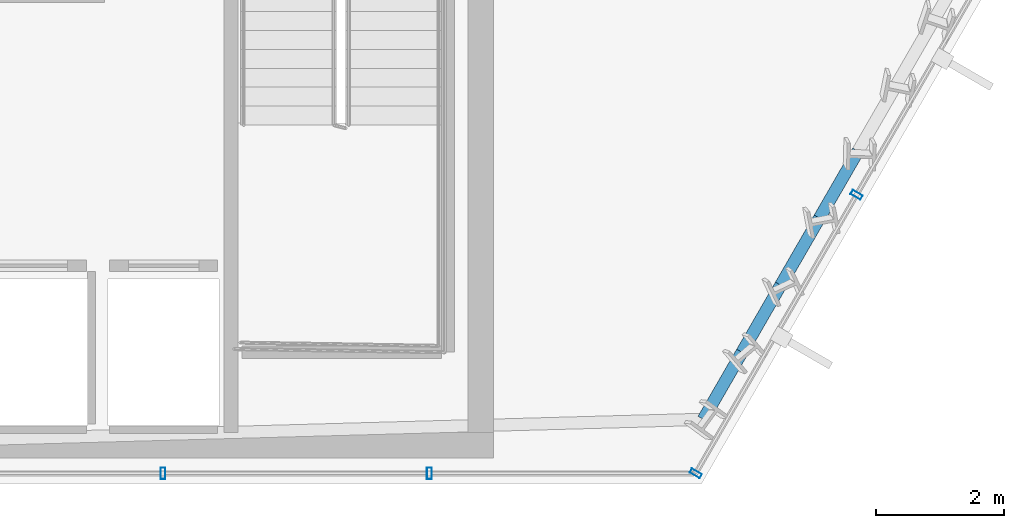
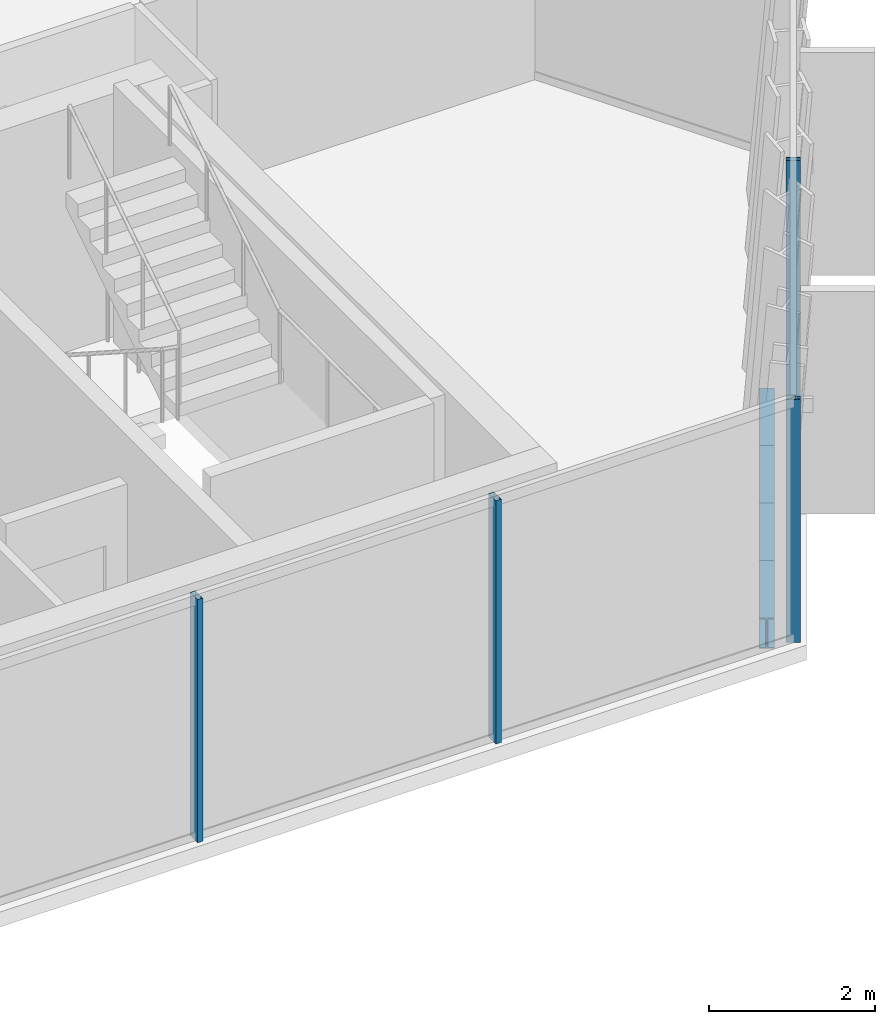
# One storey, part 15 of 35: 4 beams, 4 members, 2 elements without a shape of their own.
"""IFC4 building model written with IfcOpenShell, lengths in metres."""

from ifc_helpers import new_model, si_unit, direction, frame, origin, origin_2d, place, context, subcontext, project, spatial, hollow_rectangle, i_section, extrude, material, layer, layer_set, material_profile, profile_set, type_object, element, aggregate, save


model = new_model("IFC4")

# Units and contexts
model_context = context("Model", 3, precision=1e-05, world=origin(), true_north=direction((0.0, 1.0)))
body_context = subcontext(model_context, "Body", "Model", "MODEL_VIEW")
ifc_project = project(units=[si_unit("LENGTHUNIT", "METRE"), si_unit("AREAUNIT", "SQUARE_METRE"), si_unit("VOLUMEUNIT", "CUBIC_METRE"), si_unit("PLANEANGLEUNIT", "RADIAN"), si_unit("MASSUNIT", "GRAM", prefix="KILO")], contexts=[model_context])

# Site, building, storey
site_placement = place(None, origin())
site = spatial("IfcSite", under=ifc_project, at=site_placement, CompositionType="ELEMENT")
building_placement = place(site_placement, origin())
building = spatial("IfcBuilding", under=site, at=building_placement, Name="Ndaravel Arena Tower", CompositionType="ELEMENT")
storey_placement = place(building_placement, frame((0.0, 0.0, 180.199951171875)))
storey = spatial("IfcBuildingStorey", under=building, at=storey_placement, Name="L43", CompositionType="ELEMENT", Elevation=180.199951171875)

# Beams
ifc_material_1 = material(Name="Steel S355", Category="steel")
ifc_material_profile_1 = material_profile(ifc_material_1, i_section(OverallWidth=0.18994140625, OverallDepth=0.449951171875, WebThickness=0.009521484375, FlangeThickness=0.0146484375, FilletRadius=0.02099609375, at=origin_2d()), Name="IPE 450")
ifc_profile_set_1 = profile_set([ifc_material_profile_1], Name="Steel S355")
beam_type = type_object("IfcBeamType", Name="BM-SPAN-IPE450", PredefinedType="SPANDREL", material=ifc_profile_set_1)
beam_placement = place(storey_placement, frame((60.82080078125, 6.00341796875, -0.445068359375), z_axis=(0.500072242978, 0.865983690264, 0.0), x_axis=(-0.865983690264, 0.500072242978, 0.0)))
element("IfcBeam", 1, at=beam_placement, inside=storey, type_object=beam_type, Name="L43 Perimeter Spandrel Beam SP-02", PredefinedType="SPANDREL", context=body_context, shape_type="SweptSolid", body=[
    extrude(i_section(OverallWidth=0.18994140625, OverallDepth=0.449951171875, WebThickness=0.009521484375, FlangeThickness=0.0146484375, FilletRadius=0.02099609375, at=origin_2d()), origin(), (0.0, 0.0, 1.0), 1.208251953125),
])
for number, where, z_axis, x_axis, name in (
    (2, (61.425048828125, 7.0498046875, -0.445068359375), (0.499984757355, 0.866034203951, 0.0), (-0.866034203951, 0.499984757355, 0.0), "L43 Perimeter Spandrel Beam SP-03"),
    (3, (62.029296875, 8.096435546875, -0.445068359375), (0.499984757355, 0.866034203951, 0.0), (-0.866034203951, 0.499984757355, 0.0), "L43 Perimeter Spandrel Beam SP-04"),
    (4, (62.633544921875, 9.14306640625, -0.445068359375), (0.499984757355, 0.866034203951, 0.0), (-0.866034203951, 0.499984757355, 0.0), "L43 Perimeter Spandrel Beam SP-05"),
):
    element("IfcBeam", number, at=place(storey_placement, frame(where, z_axis=z_axis, x_axis=x_axis)), inside=storey, type_object=beam_type, Name=name, PredefinedType="SPANDREL", context=body_context, shape_type="SweptSolid", body=[
        extrude(i_section(OverallWidth=0.18994140625, OverallDepth=0.449951171875, WebThickness=0.009521484375, FlangeThickness=0.0146484375, FilletRadius=0.02099609375, at=origin_2d()), origin(), (0.0, 0.0, 1.0), 1.20849609375),
    ])

# Curtain wall, members
ifc_material_2 = material(Name="Aluminium", Category="aluminium")
ifc_layer_1 = layer(ifc_material_2, 0.179931640625)
ifc_layer_set_1 = layer_set([ifc_layer_1], Name="Aluminium")
curtain_wall_type_1 = type_object("IfcCurtainWallType", Name="CW-SYS-03", PredefinedType="NOTDEFINED", material=ifc_layer_set_1)
curtain_wall_1_placement = place(storey_placement, origin())
curtain_wall_1 = element("IfcCurtainWall", 5, at=curtain_wall_1_placement, inside=storey, type_object=curtain_wall_type_1, Name="L43 Faceted Crystal Curtain Wall CW-L43-E01", PredefinedType="NOTDEFINED")
ifc_material_3 = material(Name="Aluminium", Category="aluminium")
ifc_material_profile_2 = material_profile(ifc_material_3, hollow_rectangle(XDim=0.074951171875, YDim=0.179931640625, WallThickness=0.00390625, at=origin_2d()), Name="CW MULLION 75x180x4")
ifc_profile_set_2 = profile_set([ifc_material_profile_2], Name="Aluminium")
member_type = type_object("IfcMemberType", Name="MEM-CW-MUL180", PredefinedType="MULLION", material=ifc_profile_set_2)
member_1_placement = place(storey_placement, frame((52.390869140625, 5.159912109375, 0.0), z_axis=(0.0, 0.0, 1.0), x_axis=(1.0, 0.0, 0.0)))
member_1 = element("IfcMember", 6, at=member_1_placement, type_object=member_type, Name="CW-L43-E01 Mullion 07", PredefinedType="MULLION", context=body_context, shape_type="SweptSolid", body=[
    extrude(hollow_rectangle(XDim=0.074951171875, YDim=0.179931640625, WallThickness=0.00390625, at=origin_2d()), origin(), (0.0, 0.0, 1.0), 3.580078125),
])
member_2_placement = place(storey_placement, frame((56.547119140625, 5.159912109375, 0.0), z_axis=(0.0, 0.0, 1.0), x_axis=(1.0, 0.0, 0.0)))
member_2 = element("IfcMember", 7, at=member_2_placement, type_object=member_type, Name="CW-L43-E01 Mullion 08", PredefinedType="MULLION", context=body_context, shape_type="SweptSolid", body=[
    extrude(hollow_rectangle(XDim=0.074951171875, YDim=0.179931640625, WallThickness=0.00390625, at=origin_2d()), origin(), (0.0, 0.0, 1.0), 3.580078125),
])
aggregate(curtain_wall_1, [member_1, member_2])

ifc_material_4 = material(Name="Aluminium", Category="aluminium")
ifc_layer_2 = layer(ifc_material_4, 0.179931640625)
ifc_layer_set_2 = layer_set([ifc_layer_2], Name="Aluminium")
curtain_wall_type_2 = type_object("IfcCurtainWallType", Name="CW-SYS-01", PredefinedType="NOTDEFINED", material=ifc_layer_set_2)
curtain_wall_2_placement = place(storey_placement, origin())
curtain_wall_2 = element("IfcCurtainWall", 8, at=curtain_wall_2_placement, inside=storey, type_object=curtain_wall_type_2, Name="L43 Faceted Crystal Curtain Wall CW-L43-E02", PredefinedType="NOTDEFINED")
member_3_placement = place(storey_placement, frame((60.703369140625, 5.159912109375, 0.0), z_axis=(0.0, 0.0, 1.0), x_axis=(0.5, 0.866025403784, 0.0)))
member_3 = element("IfcMember", 9, at=member_3_placement, type_object=member_type, Name="CW-L43-E02 Mullion 00", PredefinedType="MULLION", context=body_context, shape_type="SweptSolid", body=[
    extrude(hollow_rectangle(XDim=0.074951171875, YDim=0.179931640625, WallThickness=0.00390625, at=origin_2d()), origin(), (0.0, 0.0, 1.0), 3.580078125),
])
member_4_placement = place(storey_placement, frame((63.212890625, 9.506591796875, 0.0), z_axis=(0.0, 0.0, 1.0), x_axis=(0.5, 0.866025403784, 0.0)))
member_4 = element("IfcMember", 10, at=member_4_placement, type_object=member_type, Name="CW-L43-E02 Mullion 01", PredefinedType="MULLION", context=body_context, shape_type="SweptSolid", body=[
    extrude(hollow_rectangle(XDim=0.074951171875, YDim=0.179931640625, WallThickness=0.00390625, at=origin_2d()), origin(), (0.0, 0.0, 1.0), 3.580078125),
])
aggregate(curtain_wall_2, [member_3, member_4])

save(model, "model.ifc")
